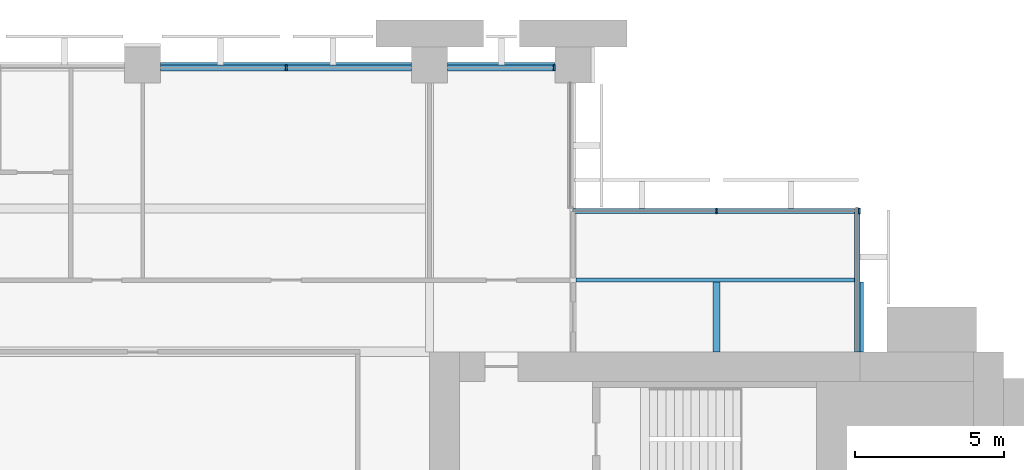
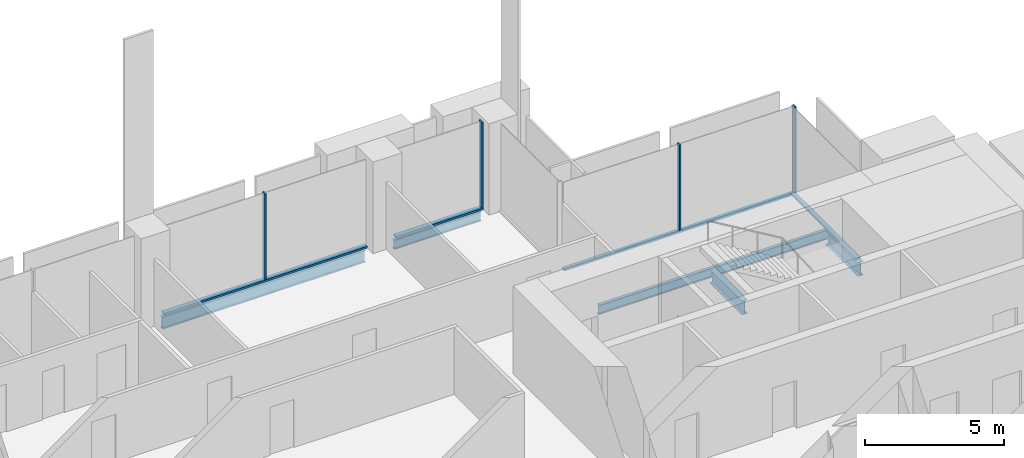
# One storey, part 7 of 14: 8 members, 5 beams, 3 elements without a shape of their own.
"""IFC4 building model written with IfcOpenShell, lengths in metres."""

from ifc_helpers import new_model, si_unit, direction, frame, origin, origin_2d, place, context, subcontext, project, spatial, rectangle, i_section, extrude, material, material_profile, profile_set, type_object, element, aggregate, save


model = new_model("IFC4")

# Units and contexts
model_context = context("Model", 3, precision=1e-05, world=origin(), true_north=direction((0.0, 1.0)))
body_context = subcontext(model_context, "Body", "Model", "MODEL_VIEW")
ifc_project = project(units=[si_unit("LENGTHUNIT", "METRE"), si_unit("AREAUNIT", "SQUARE_METRE"), si_unit("VOLUMEUNIT", "CUBIC_METRE"), si_unit("PLANEANGLEUNIT", "RADIAN"), si_unit("MASSUNIT", "GRAM", prefix="KILO")], contexts=[model_context])

# Site, building, storey
site_placement = place(None, origin())
site = spatial("IfcSite", under=ifc_project, at=site_placement, CompositionType="ELEMENT")
building_placement = place(site_placement, origin())
building = spatial("IfcBuilding", under=site, at=building_placement, Name="Baori Bourse Tower", CompositionType="ELEMENT")
storey_placement = place(building_placement, frame((0.0, 0.0, 132.10009765625)))
storey = spatial("IfcBuildingStorey", under=building, at=storey_placement, Name="L28", CompositionType="ELEMENT", Elevation=132.10009765625)

# Curtain wall, members
ifc_material_1 = material(Name="Pale anodised aluminium", Category="aluminium")
curtain_wall_type_1 = type_object("IfcCurtainWallType", Name="CW1 Curtain wall", PredefinedType="NOTDEFINED", material=ifc_material_1)
curtain_wall_1_placement = place(storey_placement, origin())
curtain_wall_1 = element("IfcCurtainWall", 1, at=curtain_wall_1_placement, inside=storey, type_object=curtain_wall_type_1, Name="Curtain wall CW1 L28 4", PredefinedType="NOTDEFINED")
ifc_material_2 = material(Name="Pale anodised aluminium", Category="aluminium")
ifc_material_profile_1 = material_profile(ifc_material_2, rectangle(XDim=0.199951171875, YDim=0.06005859375, at=origin_2d()), Name="Mullion 60x200")
ifc_profile_set_1 = profile_set([ifc_material_profile_1], Name="Pale anodised aluminium")
member_type_1 = type_object("IfcMemberType", Name="CW1 Curtain wall mullion", PredefinedType="MULLION", material=ifc_profile_set_1)
member_1_placement = place(storey_placement, frame((42.570068359375, 47.89990234375, 0.079833984375), z_axis=(0.0, 0.0, 1.0), x_axis=(0.0, -1.0, 0.0)))
member_1 = element("IfcMember", 2, at=member_1_placement, type_object=member_type_1, Name="Curtain wall CW1 mullion", PredefinedType="MULLION", context=body_context, shape_type="SweptSolid", body=[
    extrude(rectangle(XDim=0.199951171875, YDim=0.06005859375, at=origin_2d()), origin(), (0.0, 0.0, 1.0), 3.760009765625),
])
member_2_placement = place(storey_placement, frame((33.60009765625, 47.89990234375, 0.079833984375), z_axis=(0.0, 0.0, 1.0), x_axis=(0.0, -1.0, 0.0)))
member_2 = element("IfcMember", 3, at=member_2_placement, type_object=member_type_1, Name="Curtain wall CW1 mullion", PredefinedType="MULLION", context=body_context, shape_type="SweptSolid", body=[
    extrude(rectangle(XDim=0.199951171875, YDim=0.06005859375, at=origin_2d()), origin(), (0.0, 0.0, 1.0), 3.760009765625),
])
ifc_material_3 = material(Name="Pale anodised aluminium", Category="aluminium")
ifc_material_profile_2 = material_profile(ifc_material_3, rectangle(XDim=0.199951171875, YDim=0.080078125, at=origin_2d()), Name="Transom 80x200")
ifc_profile_set_2 = profile_set([ifc_material_profile_2], Name="Pale anodised aluminium")
member_type_2 = type_object("IfcMemberType", Name="CW1 Curtain wall transom", PredefinedType="USERDEFINED", material=ifc_profile_set_2)
member_3_placement = place(storey_placement, frame((42.60009765625, 47.89990234375, 0.039794921875), z_axis=(-1.0, 0.0, 0.0), x_axis=(0.0, -1.0, 0.0)))
member_3 = element("IfcMember", 4, at=member_3_placement, type_object=member_type_2, Name="Curtain wall CW1 sill rail", ObjectType="TRANSOM", PredefinedType="USERDEFINED", context=body_context, shape_type="SweptSolid", body=[
    extrude(rectangle(XDim=0.199951171875, YDim=0.080078125, at=origin_2d()), origin(), (0.0, 0.0, 1.0), 3.60009765625),
])
member_4_placement = place(storey_placement, frame((37.800048828125, 47.89990234375, 0.039794921875), z_axis=(-1.0, 0.0, 0.0), x_axis=(0.0, -1.0, 0.0)))
member_4 = element("IfcMember", 5, at=member_4_placement, type_object=member_type_2, Name="Curtain wall CW1 sill rail", ObjectType="TRANSOM", PredefinedType="USERDEFINED", context=body_context, shape_type="SweptSolid", body=[
    extrude(rectangle(XDim=0.199951171875, YDim=0.080078125, at=origin_2d()), origin(), (0.0, 0.0, 1.0), 8.400146484375),
])
aggregate(curtain_wall_1, [member_3, member_1, member_4, member_2])

ifc_material_4 = material(Name="Pale anodised aluminium", Category="aluminium")
curtain_wall_type_2 = type_object("IfcCurtainWallType", Name="CW2 Curtain wall", PredefinedType="NOTDEFINED", material=ifc_material_4)
curtain_wall_2_placement = place(storey_placement, origin())
curtain_wall_2 = element("IfcCurtainWall", 6, at=curtain_wall_2_placement, inside=storey, type_object=curtain_wall_type_2, Name="Curtain wall CW2 L28 2", PredefinedType="NOTDEFINED")
ifc_material_5 = material(Name="Pale anodised aluminium", Category="aluminium")
ifc_material_profile_3 = material_profile(ifc_material_5, rectangle(XDim=0.179931640625, YDim=0.054931640625, at=origin_2d()), Name="Mullion 55x180")
ifc_profile_set_3 = profile_set([ifc_material_profile_3], Name="Pale anodised aluminium")
member_type_3 = type_object("IfcMemberType", Name="CW2 Curtain wall mullion", PredefinedType="MULLION", material=ifc_profile_set_3)
member_5_placement = place(storey_placement, frame((52.7724609375, 43.110107421875, 0.06982421875), z_axis=(0.0, 0.0, 1.0), x_axis=(0.0, -1.0, 0.0)))
member_5 = element("IfcMember", 7, at=member_5_placement, type_object=member_type_3, Name="Curtain wall CW2 mullion", PredefinedType="MULLION", context=body_context, shape_type="SweptSolid", body=[
    extrude(rectangle(XDim=0.179931640625, YDim=0.054931640625, at=origin_2d()), origin(), (0.0, 0.0, 1.0), 3.77001953125),
])
member_6_placement = place(storey_placement, frame((48.0, 43.110107421875, 0.06982421875), z_axis=(0.0, 0.0, 1.0), x_axis=(0.0, -1.0, 0.0)))
member_6 = element("IfcMember", 8, at=member_6_placement, type_object=member_type_3, Name="Curtain wall CW2 mullion", PredefinedType="MULLION", context=body_context, shape_type="SweptSolid", body=[
    extrude(rectangle(XDim=0.179931640625, YDim=0.054931640625, at=origin_2d()), origin(), (0.0, 0.0, 1.0), 3.77001953125),
])

# Curtain wall, member
curtain_wall_3_placement = place(storey_placement, origin())
curtain_wall_3 = element("IfcCurtainWall", 9, at=curtain_wall_3_placement, inside=storey, type_object=curtain_wall_type_2, Name="Curtain wall CW2 L28 1", PredefinedType="NOTDEFINED")
ifc_material_6 = material(Name="Pale anodised aluminium", Category="aluminium")
ifc_material_profile_4 = material_profile(ifc_material_6, rectangle(XDim=0.179931640625, YDim=0.070068359375, at=origin_2d()), Name="Transom 70x180")
ifc_profile_set_4 = profile_set([ifc_material_profile_4], Name="Pale anodised aluminium")
member_type_4 = type_object("IfcMemberType", Name="CW2 Curtain wall transom", PredefinedType="USERDEFINED", material=ifc_profile_set_4)
member_7_placement = place(storey_placement, frame((52.7099609375, 38.39990234375, 0.034912109375), z_axis=(0.0, 1.0, 0.0), x_axis=(-1.0, 0.0, 0.0)))
member_7 = element("IfcMember", 10, at=member_7_placement, type_object=member_type_4, Name="Curtain wall CW2 sill rail", ObjectType="TRANSOM", PredefinedType="USERDEFINED", context=body_context, shape_type="SweptSolid", body=[
    extrude(rectangle(XDim=0.179931640625, YDim=0.070068359375, at=origin_2d()), origin(), (0.0, 0.0, 1.0), 4.800048828125),
])
aggregate(curtain_wall_3, [member_7])

# Member
member_8_placement = place(storey_placement, frame((52.800048828125, 43.110107421875, 0.034912109375), z_axis=(-1.0, 0.0, 0.0), x_axis=(0.0, -1.0, 0.0)))
member_8 = element("IfcMember", 11, at=member_8_placement, type_object=member_type_4, Name="Curtain wall CW2 sill rail", ObjectType="TRANSOM", PredefinedType="USERDEFINED", context=body_context, shape_type="SweptSolid", body=[
    extrude(rectangle(XDim=0.179931640625, YDim=0.070068359375, at=origin_2d()), origin(), (0.0, 0.0, 1.0), 9.60009765625),
])

aggregate(curtain_wall_2, [member_8, member_5, member_6])

# Beams
ifc_material_7 = material(Name="Steel A992 Gr 50", Category="steel")
ifc_material_profile_5 = material_profile(ifc_material_7, i_section(OverallWidth=0.227783203125, OverallDepth=0.60205078125, WebThickness=0.010498046875, FlangeThickness=0.014892578125, at=origin_2d()), Name="W24x68")
ifc_profile_set_5 = profile_set([ifc_material_profile_5], Name="Steel A992 Gr 50")
beam_type_1 = type_object("IfcBeamType", Name="Core bracket W24x68", PredefinedType="BEAM", material=ifc_profile_set_5)
for number, where, z_axis, x_axis, name in (
    (12, (48.0, 38.39990234375, -0.461181640625), (0.0, 1.0, 0.0), (-1.0, 0.0, 0.0), "Core bracket L28"),
    (13, (52.800048828125, 38.39990234375, -0.461181640625), (0.0, 1.0, 0.0), (-1.0, 0.0, 0.0), "Core bracket L28"),
):
    element("IfcBeam", number, at=place(storey_placement, frame(where, z_axis=z_axis, x_axis=x_axis)), inside=storey, type_object=beam_type_1, Name=name, PredefinedType="BEAM", context=body_context, shape_type="SweptSolid", body=[
        extrude(i_section(OverallWidth=0.227783203125, OverallDepth=0.60205078125, WebThickness=0.010498046875, FlangeThickness=0.014892578125, at=origin_2d()), origin(), (0.0, 0.0, 1.0), 2.329833984375),
    ])
ifc_material_8 = material(Name="Steel A992 Gr 50", Category="steel")
ifc_material_profile_6 = material_profile(ifc_material_8, i_section(OverallWidth=0.140380859375, OverallDepth=0.40380859375, WebThickness=0.007080078125, FlangeThickness=0.01123046875, at=origin_2d()), Name="W16x31")
ifc_profile_set_6 = profile_set([ifc_material_profile_6], Name="Steel A992 Gr 50")
beam_type_2 = type_object("IfcBeamType", Name="Edge beam W16x31", PredefinedType="BEAM", material=ifc_profile_set_6)
beam_1_placement = place(storey_placement, frame((39.0, 48.0, -0.362060546875), z_axis=(1.0, 0.0, 0.0), x_axis=(0.0, 1.0, 0.0)))
element("IfcBeam", 14, at=beam_1_placement, inside=storey, type_object=beam_type_2, Name="Edge beam L28", PredefinedType="BEAM", context=body_context, shape_type="SweptSolid", body=[
    extrude(i_section(OverallWidth=0.140380859375, OverallDepth=0.40380859375, WebThickness=0.007080078125, FlangeThickness=0.01123046875, at=origin_2d()), origin(), (0.0, 0.0, 1.0), 3.60009765625),
])
ifc_material_9 = material(Name="Steel A992 Gr 50", Category="steel")
ifc_material_profile_7 = material_profile(ifc_material_9, i_section(OverallWidth=0.1650390625, OverallDepth=0.52587890625, WebThickness=0.0087890625, FlangeThickness=0.011474609375, at=origin_2d()), Name="W21x44")
ifc_profile_set_7 = profile_set([ifc_material_profile_7], Name="Steel A992 Gr 50")
beam_type_3 = type_object("IfcBeamType", Name="Edge beam W21x44", PredefinedType="BEAM", material=ifc_profile_set_7)
beam_2_placement = place(storey_placement, frame((29.39990234375, 48.0, -0.423095703125), z_axis=(1.0, 0.0, 0.0), x_axis=(0.0, 1.0, 0.0)))
element("IfcBeam", 15, at=beam_2_placement, inside=storey, type_object=beam_type_3, Name="Edge beam L28", PredefinedType="BEAM", context=body_context, shape_type="SweptSolid", body=[
    extrude(i_section(OverallWidth=0.1650390625, OverallDepth=0.52587890625, WebThickness=0.0087890625, FlangeThickness=0.011474609375, at=origin_2d()), origin(), (0.0, 0.0, 1.0), 8.400146484375),
])
ifc_material_10 = material(Name="Steel A992 Gr 50", Category="steel")
ifc_material_profile_8 = material_profile(ifc_material_10, i_section(OverallWidth=0.140380859375, OverallDepth=0.40380859375, WebThickness=0.007080078125, FlangeThickness=0.01123046875, at=origin_2d()), Name="W16x31")
ifc_profile_set_8 = profile_set([ifc_material_profile_8], Name="Steel A992 Gr 50")
beam_type_4 = type_object("IfcBeamType", Name="Trimmer beam W16x31", PredefinedType="BEAM", material=ifc_profile_set_8)
beam_3_placement = place(storey_placement, frame((43.30615234375, 40.800048828125, -0.362060546875), z_axis=(1.0, 0.0, 0.0), x_axis=(0.0, 1.0, 0.0)))
element("IfcBeam", 16, at=beam_3_placement, inside=storey, type_object=beam_type_4, Name="Trimmer beam L28", PredefinedType="BEAM", context=body_context, shape_type="SweptSolid", body=[
    extrude(i_section(OverallWidth=0.140380859375, OverallDepth=0.40380859375, WebThickness=0.007080078125, FlangeThickness=0.01123046875, at=origin_2d()), origin(), (0.0, 0.0, 1.0), 9.493896484375),
])

save(model, "model.ifc")
